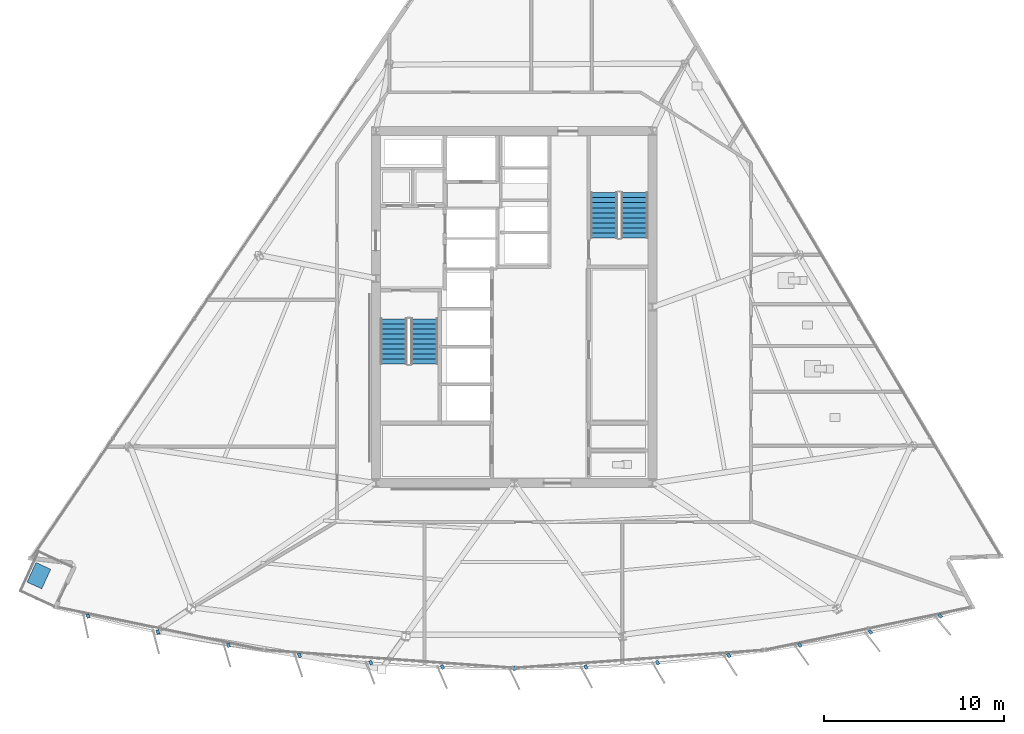
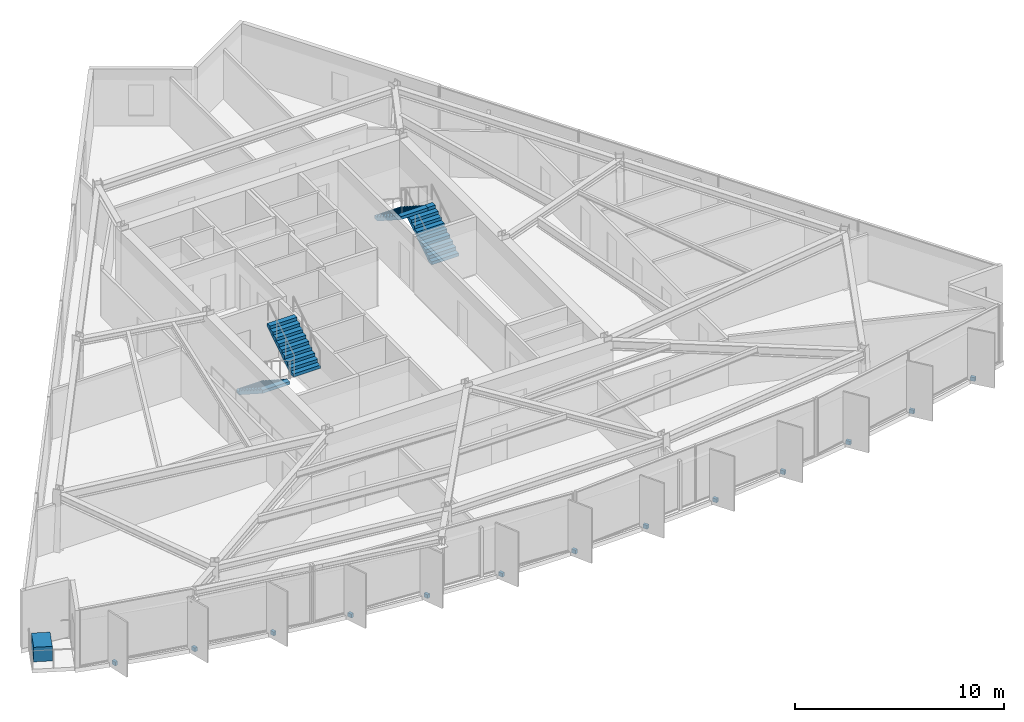
# One storey, part 10 of 15: 14 discrete accessories, 4 stair flights, 2 elements without a shape of their own.
"""IFC4 building model written with IfcOpenShell, lengths in metres."""

from ifc_helpers import new_model, si_unit, direction, frame, origin, origin_2d, place, context, subcontext, project, spatial, polyline, rectangle, outline, extrude, material, type_object, element, aggregate, save


model = new_model("IFC4")

# Units and contexts
model_context = context("Model", 3, precision=1e-05, world=origin(), true_north=direction((0.0, 1.0)))
body_context = subcontext(model_context, "Body", "Model", "MODEL_VIEW")
ifc_project = project(units=[si_unit("LENGTHUNIT", "METRE"), si_unit("AREAUNIT", "SQUARE_METRE"), si_unit("VOLUMEUNIT", "CUBIC_METRE"), si_unit("PLANEANGLEUNIT", "RADIAN"), si_unit("MASSUNIT", "GRAM", prefix="KILO")], contexts=[model_context])

# Site, building, storey
site_placement = place(None, origin())
site = spatial("IfcSite", under=ifc_project, at=site_placement, CompositionType="ELEMENT")
building_placement = place(site_placement, origin())
building = spatial("IfcBuilding", under=site, at=building_placement, Name="Savorim Split Tower", CompositionType="ELEMENT")
storey_placement = place(building_placement, frame((0.0, 0.0, 145.800048828125)))
storey = spatial("IfcBuildingStorey", under=building, at=storey_placement, Name="L38", CompositionType="ELEMENT", Elevation=145.800048828125)

# Stair, stair flights
ifc_material_1 = material(Name="Concrete C50/60", Category="concrete")
stair_type = type_object("IfcStairType", Name="STR-DOG-3600", PredefinedType="HALF_TURN_STAIR", material=ifc_material_1)
stair_1_placement = place(storey_placement, origin())
stair_1 = element("IfcStair", 1, at=stair_1_placement, inside=storey, type_object=stair_type, Name="L38 Core Protected Exit Stair ST-1", PredefinedType="HALF_TURN_STAIR")
stair_flight_type = type_object("IfcStairFlightType", Name="SFL-DOG-3600", PredefinedType="STRAIGHT", material=ifc_material_1)
stair_flight_1_placement = place(storey_placement, frame((-6.699951171875, -0.25, 0.0), z_axis=(0.0, 0.0, 1.0), x_axis=(0.0, -1.0, 0.0)))
stair_flight_1 = element("IfcStairFlight", 2, at=stair_flight_1_placement, type_object=stair_flight_type, Name="ST-1 flight 1", NumberOfRisers=10, NumberOfTreads=9, PredefinedType="STRAIGHT", RiserHeight=0.18, TreadLength=0.28, context=body_context, shape_type="SweptSolid", body=[
    extrude(outline(polyline([(0.0, 0.0), (0.0, 0.179931640625), (0.280029296875, 0.179931640625), (0.280029296875, 0.360107421875), (0.56005859375, 0.360107421875), (0.56005859375, 0.5400390625), (0.840087890625, 0.5400390625), (0.840087890625, 0.719970703125), (1.1201171875, 0.719970703125), (1.1201171875, 0.89990234375), (1.39990234375, 0.89990234375), (1.39990234375, 1.080078125), (1.679931640625, 1.080078125), (1.679931640625, 1.260009765625), (1.9599609375, 1.260009765625), (1.9599609375, 1.43994140625), (2.239990234375, 1.43994140625), (2.239990234375, 1.6201171875), (2.52001953125, 1.6201171875), (2.52001953125, 1.800048828125), (2.52001953125, 1.44189453125), (0.277099609375, 0.0), (0.0, 0.0)])), frame((0.0, 0.75, 0.0), z_axis=(0.0, -1.0, 0.0), x_axis=(1.0, 0.0, 0.0)), (0.0, 0.0, 1.0), 1.5),
])
stair_flight_2_placement = place(storey_placement, frame((-5.0, -2.77001953125, 1.800048828125), z_axis=(0.0, 0.0, 1.0), x_axis=(0.0, 1.0, 0.0)))
stair_flight_2 = element("IfcStairFlight", 3, at=stair_flight_2_placement, type_object=stair_flight_type, Name="ST-1 flight 2", NumberOfRisers=10, NumberOfTreads=9, PredefinedType="STRAIGHT", RiserHeight=0.18, TreadLength=0.28, context=body_context, shape_type="SweptSolid", body=[
    extrude(outline(polyline([(0.0, 0.0), (0.0, 0.179931640625), (0.280029296875, 0.179931640625), (0.280029296875, 0.360107421875), (0.56005859375, 0.360107421875), (0.56005859375, 0.5400390625), (0.840087890625, 0.5400390625), (0.840087890625, 0.719970703125), (1.1201171875, 0.719970703125), (1.1201171875, 0.89990234375), (1.39990234375, 0.89990234375), (1.39990234375, 1.080078125), (1.679931640625, 1.080078125), (1.679931640625, 1.260009765625), (1.9599609375, 1.260009765625), (1.9599609375, 1.43994140625), (2.239990234375, 1.43994140625), (2.239990234375, 1.6201171875), (2.52001953125, 1.6201171875), (2.52001953125, 1.800048828125), (2.52001953125, 1.44189453125), (0.277099609375, 0.0), (0.0, 0.0)])), frame((0.0, 0.75, 0.0), z_axis=(0.0, -1.0, 0.0), x_axis=(1.0, 0.0, 0.0)), (0.0, 0.0, 1.0), 1.5),
])
aggregate(stair_1, [stair_flight_1, stair_flight_2])

stair_2_placement = place(storey_placement, origin())
stair_2 = element("IfcStair", 4, at=stair_2_placement, inside=storey, type_object=stair_type, Name="L38 Core Protected Exit Stair ST-2", PredefinedType="HALF_TURN_STAIR")
stair_flight_3_placement = place(storey_placement, frame((6.699951171875, 4.25, 0.0), z_axis=(0.0, 0.0, 1.0), x_axis=(0.0, 1.0, 0.0)))
stair_flight_3 = element("IfcStairFlight", 5, at=stair_flight_3_placement, type_object=stair_flight_type, Name="ST-2 flight 1", NumberOfRisers=10, NumberOfTreads=9, PredefinedType="STRAIGHT", RiserHeight=0.18, TreadLength=0.28, context=body_context, shape_type="SweptSolid", body=[
    extrude(outline(polyline([(0.0, 0.0), (0.0, 0.179931640625), (0.280029296875, 0.179931640625), (0.280029296875, 0.360107421875), (0.56005859375, 0.360107421875), (0.56005859375, 0.5400390625), (0.840087890625, 0.5400390625), (0.840087890625, 0.719970703125), (1.1201171875, 0.719970703125), (1.1201171875, 0.89990234375), (1.39990234375, 0.89990234375), (1.39990234375, 1.080078125), (1.679931640625, 1.080078125), (1.679931640625, 1.260009765625), (1.9599609375, 1.260009765625), (1.9599609375, 1.43994140625), (2.239990234375, 1.43994140625), (2.239990234375, 1.6201171875), (2.52001953125, 1.6201171875), (2.52001953125, 1.800048828125), (2.52001953125, 1.44189453125), (0.277099609375, 0.0), (0.0, 0.0)])), frame((0.0, 0.75, 0.0), z_axis=(0.0, -1.0, 0.0), x_axis=(1.0, 0.0, 0.0)), (0.0, 0.0, 1.0), 1.5),
])
stair_flight_4_placement = place(storey_placement, frame((5.0, 6.77001953125, 1.800048828125), z_axis=(0.0, 0.0, 1.0), x_axis=(0.0, -1.0, 0.0)))
stair_flight_4 = element("IfcStairFlight", 6, at=stair_flight_4_placement, type_object=stair_flight_type, Name="ST-2 flight 2", NumberOfRisers=10, NumberOfTreads=9, PredefinedType="STRAIGHT", RiserHeight=0.18, TreadLength=0.28, context=body_context, shape_type="SweptSolid", body=[
    extrude(outline(polyline([(0.0, 0.0), (0.0, 0.179931640625), (0.280029296875, 0.179931640625), (0.280029296875, 0.360107421875), (0.56005859375, 0.360107421875), (0.56005859375, 0.5400390625), (0.840087890625, 0.5400390625), (0.840087890625, 0.719970703125), (1.1201171875, 0.719970703125), (1.1201171875, 0.89990234375), (1.39990234375, 0.89990234375), (1.39990234375, 1.080078125), (1.679931640625, 1.080078125), (1.679931640625, 1.260009765625), (1.9599609375, 1.260009765625), (1.9599609375, 1.43994140625), (2.239990234375, 1.43994140625), (2.239990234375, 1.6201171875), (2.52001953125, 1.6201171875), (2.52001953125, 1.800048828125), (2.52001953125, 1.44189453125), (0.277099609375, 0.0), (0.0, 0.0)])), frame((0.0, 0.75, 0.0), z_axis=(0.0, -1.0, 0.0), x_axis=(1.0, 0.0, 0.0)), (0.0, 0.0, 1.0), 1.5),
])
aggregate(stair_2, [stair_flight_3, stair_flight_4])

# Discrete accessories
ifc_material_2 = material(Name="Steel S355", Category="steel")
discrete_accessory_type_1 = type_object("IfcDiscreteAccessoryType", Name="ACC-BRK-FIN", PredefinedType="BRACKET", material=ifc_material_2)
for number, where, z_axis, x_axis, name in (
    (7, (-23.720703125, -16.79443359375, -0.18994140625), (0.0, 0.0, 1.0), (0.206721626106, -0.978399800337, 0.0), "L38 Fin Slab-Edge Cleat Bracket 01"),
    (8, (-19.828369140625, -17.685791015625, -0.18994140625), (0.0, 0.0, 1.0), (0.246581250663, -0.969122121727, 0.0), "L38 Fin Slab-Edge Cleat Bracket 02"),
    (9, (-15.902587890625, -18.4169921875, -0.18994140625), (0.0, 0.0, 1.0), (0.286026212504, -0.958221793616, 0.0), "L38 Fin Slab-Edge Cleat Bracket 03"),
    (10, (-11.950439453125, -18.987060546875, -0.18994140625), (0.0, 0.0, 1.0), (0.324993810493, -0.945716143005, 0.0), "L38 Fin Slab-Edge Cleat Bracket 04"),
    (11, (-7.97802734375, -19.39501953125, -0.18994140625), (0.0, 0.0, 1.0), (0.363415461732, -0.931627179817, 0.0), "L38 Fin Slab-Edge Cleat Bracket 05"),
    (12, (-3.992431640625, -19.639892578125, -0.18994140625), (0.0, 0.0, 1.0), (0.401230091723, -0.915977299662, 0.0), "L38 Fin Slab-Edge Cleat Bracket 06"),
    (13, (0.0, -19.7216796875, -0.18994140625), (0.0, 0.0, 1.0), (0.438371146789, -0.898794046299, 0.0), "L38 Fin Slab-Edge Cleat Bracket 07"),
    (14, (3.992431640625, -19.639892578125, -0.18994140625), (0.0, 0.0, 1.0), (0.474778051978, -0.880105562623, 0.0), "L38 Fin Slab-Edge Cleat Bracket 08"),
    (15, (7.97802734375, -19.39501953125, -0.18994140625), (0.0, 0.0, 1.0), (0.510391336723, -0.859942255851, 0.0), "L38 Fin Slab-Edge Cleat Bracket 09"),
    (16, (11.950439453125, -18.987060546875, -0.18994140625), (0.0, 0.0, 1.0), (0.545148321708, -0.838339613366, 0.0), "L38 Fin Slab-Edge Cleat Bracket 10"),
    (17, (15.902587890625, -18.4169921875, -0.18994140625), (0.0, 0.0, 1.0), (0.578993757737, -0.815331974414, 0.0), "L38 Fin Slab-Edge Cleat Bracket 11"),
    (18, (19.828369140625, -17.685791015625, -0.18994140625), (0.0, 0.0, 1.0), (0.611868076908, -0.790959832394, 0.0), "L38 Fin Slab-Edge Cleat Bracket 12"),
    (19, (23.720703125, -16.79443359375, -0.18994140625), (0.0, 0.0, 1.0), (0.643719022682, -0.765261928909, 0.0), "L38 Fin Slab-Edge Cleat Bracket 13"),
):
    element("IfcDiscreteAccessory", number, at=place(storey_placement, frame(where, z_axis=z_axis, x_axis=x_axis)), inside=storey, type_object=discrete_accessory_type_1, Name=name, PredefinedType="BRACKET", context=body_context, shape_type="SweptSolid", body=[
        extrude(rectangle(XDim=0.239990234375, YDim=0.159912109375, at=origin_2d()), origin(), (0.0, 0.0, 1.0), 0.219970703125),
    ])
ifc_material_3 = material(Name="Architectural Precast Planter Concrete C40/50", Category="concrete")
discrete_accessory_type_2 = type_object("IfcDiscreteAccessoryType", Name="ACC-PLN-TREE", PredefinedType="USERDEFINED", material=ifc_material_3)
discrete_accessory_placement = place(storey_placement, frame((-26.4560546875, -14.548583984375, 0.0), z_axis=(0.0, 0.0, 1.0), x_axis=(-0.417494411878, -0.908679490277, 0.0)))
element("IfcDiscreteAccessory", 20, at=discrete_accessory_placement, inside=storey, type_object=discrete_accessory_type_2, Name="L38 Balcony Precast Tree Planter SW", ObjectType="PLANTER", PredefinedType="USERDEFINED", context=body_context, shape_type="SweptSolid", body=[
    extrude(rectangle(XDim=1.199951171875, YDim=0.89990234375, at=origin_2d()), origin(), (0.0, 0.0, 1.0), 0.85009765625),
])

save(model, "model.ifc")
